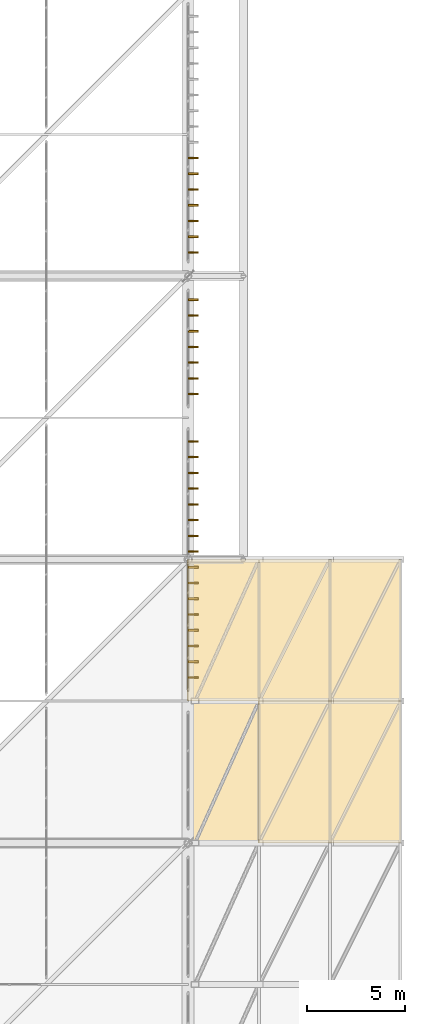
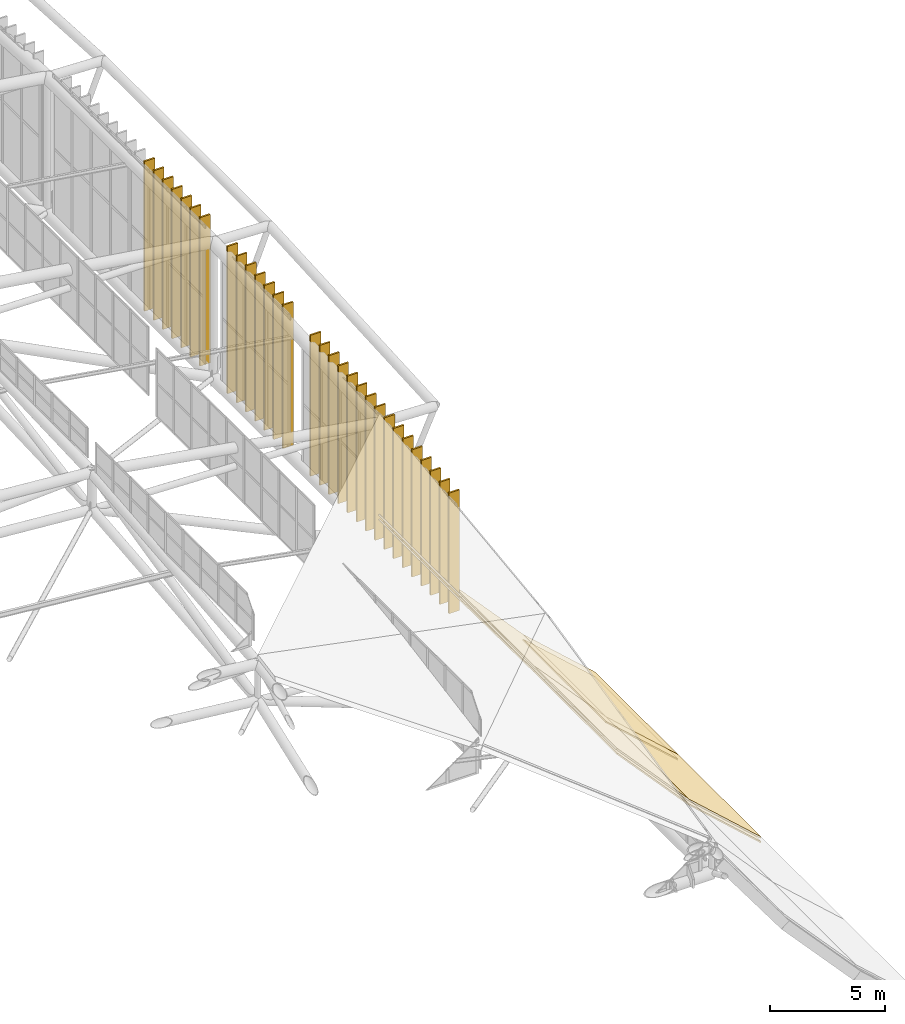
# One storey, part 390 of 397: 41 coverings.
"""IFC4 building model written with IfcOpenShell, lengths in metres."""

from ifc_helpers import new_model, si_unit, direction, frame, origin, origin_2d, place, context, subcontext, project, spatial, polyline, rectangle, outline, extrude, material, layer, layer_set, type_object, element, save


model = new_model("IFC4")

# Units and contexts
model_context = context("Model", 3, precision=1e-05, world=origin(), true_north=direction((0.0, 1.0)))
body_context = subcontext(model_context, "Body", "Model", "MODEL_VIEW")
ifc_project = project(units=[si_unit("LENGTHUNIT", "METRE"), si_unit("AREAUNIT", "SQUARE_METRE"), si_unit("VOLUMEUNIT", "CUBIC_METRE"), si_unit("PLANEANGLEUNIT", "RADIAN"), si_unit("MASSUNIT", "GRAM", prefix="KILO")], contexts=[model_context])

# Site, building, storey
site_placement = place(None, origin())
site = spatial("IfcSite", under=ifc_project, at=site_placement, CompositionType="ELEMENT")
building_placement = place(site_placement, origin())
building = spatial("IfcBuilding", under=site, at=building_placement, Name="Qandorah Velis Arena", CompositionType="ELEMENT")
storey_placement = place(building_placement, frame((0.0, 0.0, 27.5)))
storey = spatial("IfcBuildingStorey", under=building, at=storey_placement, Name="RF", CompositionType="ELEMENT", Elevation=27.5)

# Coverings
ifc_material_1 = material(Name="Champagne-bronze anodized aluminium 6063-T6", Category="aluminium")
ifc_layer_1 = layer(ifc_material_1, 0.0849609375)
ifc_layer_set_1 = layer_set([ifc_layer_1], Name="Champagne-bronze anodized aluminium 6063-T6")
covering_type_1 = type_object("IfcCoveringType", Name="ARC-COV-FIN520", PredefinedType="CLADDING", material=ifc_layer_set_1)
covering_1_placement = place(storey_placement, frame((115.455078125, 37.199951171875, -0.01025390625), z_axis=(0.0, 0.0, 1.0), x_axis=(1.0, 0.0, 0.0)))
element("IfcCovering", 1, at=covering_1_placement, inside=storey, type_object=covering_type_1, Name="Arched crown champagne-bronze solar fin 2.3.1", PredefinedType="CLADDING", context=body_context, shape_type="SweptSolid", body=[
    extrude(rectangle(XDim=0.52001953125, YDim=0.0849609375, at=origin_2d()), origin(), (0.0, 0.0, 1.0), 6.382568359375),
])
covering_2_placement = place(storey_placement, frame((115.455078125, 38.0, -0.009765625), z_axis=(0.0, 0.0, 1.0), x_axis=(1.0, 0.0, 0.0)))
element("IfcCovering", 2, at=covering_2_placement, inside=storey, type_object=covering_type_1, Name="Arched crown champagne-bronze solar fin 2.3.2", PredefinedType="CLADDING", context=body_context, shape_type="SweptSolid", body=[
    extrude(rectangle(XDim=0.52001953125, YDim=0.0849609375, at=origin_2d()), origin(), (0.0, 0.0, 1.0), 6.476806640625),
])
covering_3_placement = place(storey_placement, frame((115.455078125, 38.800048828125, -0.01025390625), z_axis=(0.0, 0.0, 1.0), x_axis=(1.0, 0.0, 0.0)))
element("IfcCovering", 3, at=covering_3_placement, inside=storey, type_object=covering_type_1, Name="Arched crown champagne-bronze solar fin 2.3.3", PredefinedType="CLADDING", context=body_context, shape_type="SweptSolid", body=[
    extrude(rectangle(XDim=0.52001953125, YDim=0.0849609375, at=origin_2d()), origin(), (0.0, 0.0, 1.0), 6.567626953125),
])
covering_4_placement = place(storey_placement, frame((115.455078125, 39.60009765625, -0.010009765625), z_axis=(0.0, 0.0, 1.0), x_axis=(1.0, 0.0, 0.0)))
element("IfcCovering", 4, at=covering_4_placement, inside=storey, type_object=covering_type_1, Name="Arched crown champagne-bronze solar fin 2.3.4", PredefinedType="CLADDING", context=body_context, shape_type="SweptSolid", body=[
    extrude(rectangle(XDim=0.52001953125, YDim=0.0849609375, at=origin_2d()), origin(), (0.0, 0.0, 1.0), 6.6552734375),
])
covering_5_placement = place(storey_placement, frame((115.455078125, 40.39990234375, -0.010009765625), z_axis=(0.0, 0.0, 1.0), x_axis=(1.0, 0.0, 0.0)))
element("IfcCovering", 5, at=covering_5_placement, inside=storey, type_object=covering_type_1, Name="Arched crown champagne-bronze solar fin 2.3.5", PredefinedType="CLADDING", context=body_context, shape_type="SweptSolid", body=[
    extrude(rectangle(XDim=0.52001953125, YDim=0.0849609375, at=origin_2d()), origin(), (0.0, 0.0, 1.0), 6.7392578125),
])
covering_6_placement = place(storey_placement, frame((115.455078125, 41.199951171875, -0.010009765625), z_axis=(0.0, 0.0, 1.0), x_axis=(1.0, 0.0, 0.0)))
element("IfcCovering", 6, at=covering_6_placement, inside=storey, type_object=covering_type_1, Name="Arched crown champagne-bronze solar fin 2.3.6", PredefinedType="CLADDING", context=body_context, shape_type="SweptSolid", body=[
    extrude(rectangle(XDim=0.52001953125, YDim=0.0849609375, at=origin_2d()), origin(), (0.0, 0.0, 1.0), 6.8203125),
])
covering_7_placement = place(storey_placement, frame((115.455078125, 42.0, -0.009765625), z_axis=(0.0, 0.0, 1.0), x_axis=(1.0, 0.0, 0.0)))
element("IfcCovering", 7, at=covering_7_placement, inside=storey, type_object=covering_type_1, Name="Arched crown champagne-bronze solar fin 2.3.7", PredefinedType="CLADDING", context=body_context, shape_type="SweptSolid", body=[
    extrude(rectangle(XDim=0.52001953125, YDim=0.0849609375, at=origin_2d()), origin(), (0.0, 0.0, 1.0), 6.897705078125),
])
covering_8_placement = place(storey_placement, frame((115.455078125, 42.800048828125, -0.01025390625), z_axis=(0.0, 0.0, 1.0), x_axis=(1.0, 0.0, 0.0)))
element("IfcCovering", 8, at=covering_8_placement, inside=storey, type_object=covering_type_1, Name="Arched crown champagne-bronze solar fin 2.3.8", PredefinedType="CLADDING", context=body_context, shape_type="SweptSolid", body=[
    extrude(rectangle(XDim=0.52001953125, YDim=0.0849609375, at=origin_2d()), origin(), (0.0, 0.0, 1.0), 6.972412109375),
])
covering_9_placement = place(storey_placement, frame((115.455078125, 43.60009765625, -0.01025390625), z_axis=(0.0, 0.0, 1.0), x_axis=(1.0, 0.0, 0.0)))
element("IfcCovering", 9, at=covering_9_placement, inside=storey, type_object=covering_type_1, Name="Arched crown champagne-bronze solar fin 2.3.9", PredefinedType="CLADDING", context=body_context, shape_type="SweptSolid", body=[
    extrude(rectangle(XDim=0.52001953125, YDim=0.0849609375, at=origin_2d()), origin(), (0.0, 0.0, 1.0), 7.043701171875),
])
covering_10_placement = place(storey_placement, frame((115.455078125, 44.39990234375, -0.010009765625), z_axis=(0.0, 0.0, 1.0), x_axis=(1.0, 0.0, 0.0)))
element("IfcCovering", 10, at=covering_10_placement, inside=storey, type_object=covering_type_1, Name="Arched crown champagne-bronze solar fin 2.3.10", PredefinedType="CLADDING", context=body_context, shape_type="SweptSolid", body=[
    extrude(rectangle(XDim=0.52001953125, YDim=0.0849609375, at=origin_2d()), origin(), (0.0, 0.0, 1.0), 7.11181640625),
])
covering_11_placement = place(storey_placement, frame((115.455078125, 45.199951171875, -0.009765625), z_axis=(0.0, 0.0, 1.0), x_axis=(1.0, 0.0, 0.0)))
element("IfcCovering", 11, at=covering_11_placement, inside=storey, type_object=covering_type_1, Name="Arched crown champagne-bronze solar fin 2.3.11", PredefinedType="CLADDING", context=body_context, shape_type="SweptSolid", body=[
    extrude(rectangle(XDim=0.52001953125, YDim=0.0849609375, at=origin_2d()), origin(), (0.0, 0.0, 1.0), 7.177001953125),
])
covering_12_placement = place(storey_placement, frame((115.455078125, 46.0, -0.01025390625), z_axis=(0.0, 0.0, 1.0), x_axis=(1.0, 0.0, 0.0)))
element("IfcCovering", 12, at=covering_12_placement, inside=storey, type_object=covering_type_1, Name="Arched crown champagne-bronze solar fin 2.3.12", PredefinedType="CLADDING", context=body_context, shape_type="SweptSolid", body=[
    extrude(rectangle(XDim=0.52001953125, YDim=0.0849609375, at=origin_2d()), origin(), (0.0, 0.0, 1.0), 7.239501953125),
])
covering_13_placement = place(storey_placement, frame((115.455078125, 46.800048828125, -0.009765625), z_axis=(0.0, 0.0, 1.0), x_axis=(1.0, 0.0, 0.0)))
element("IfcCovering", 13, at=covering_13_placement, inside=storey, type_object=covering_type_1, Name="Arched crown champagne-bronze solar fin 2.3.13", PredefinedType="CLADDING", context=body_context, shape_type="SweptSolid", body=[
    extrude(rectangle(XDim=0.52001953125, YDim=0.0849609375, at=origin_2d()), origin(), (0.0, 0.0, 1.0), 7.298583984375),
])
covering_14_placement = place(storey_placement, frame((115.455078125, 47.60009765625, -0.010009765625), z_axis=(0.0, 0.0, 1.0), x_axis=(1.0, 0.0, 0.0)))
element("IfcCovering", 14, at=covering_14_placement, inside=storey, type_object=covering_type_1, Name="Arched crown champagne-bronze solar fin 2.3.14", PredefinedType="CLADDING", context=body_context, shape_type="SweptSolid", body=[
    extrude(rectangle(XDim=0.52001953125, YDim=0.0849609375, at=origin_2d()), origin(), (0.0, 0.0, 1.0), 7.35498046875),
])
covering_15_placement = place(storey_placement, frame((115.455078125, 48.39990234375, -0.010009765625), z_axis=(0.0, 0.0, 1.0), x_axis=(1.0, 0.0, 0.0)))
element("IfcCovering", 15, at=covering_15_placement, inside=storey, type_object=covering_type_1, Name="Arched crown champagne-bronze solar fin 2.3.15", PredefinedType="CLADDING", context=body_context, shape_type="SweptSolid", body=[
    extrude(rectangle(XDim=0.52001953125, YDim=0.0849609375, at=origin_2d()), origin(), (0.0, 0.0, 1.0), 7.40869140625),
])
covering_16_placement = place(storey_placement, frame((115.455078125, 49.199951171875, -0.010009765625), z_axis=(0.0, 0.0, 1.0), x_axis=(1.0, 0.0, 0.0)))
element("IfcCovering", 16, at=covering_16_placement, inside=storey, type_object=covering_type_1, Name="Arched crown champagne-bronze solar fin 2.3.16", PredefinedType="CLADDING", context=body_context, shape_type="SweptSolid", body=[
    extrude(rectangle(XDim=0.52001953125, YDim=0.0849609375, at=origin_2d()), origin(), (0.0, 0.0, 1.0), 7.45947265625),
])
covering_17_placement = place(storey_placement, frame((115.455078125, 51.60009765625, -0.009765625), z_axis=(0.0, 0.0, 1.0), x_axis=(1.0, 0.0, 0.0)))
element("IfcCovering", 17, at=covering_17_placement, inside=storey, type_object=covering_type_1, Name="Arched crown champagne-bronze solar fin 2.4.1", PredefinedType="CLADDING", context=body_context, shape_type="SweptSolid", body=[
    extrude(rectangle(XDim=0.52001953125, YDim=0.0849609375, at=origin_2d()), origin(), (0.0, 0.0, 1.0), 7.594970703125),
])
covering_18_placement = place(storey_placement, frame((115.455078125, 52.39990234375, -0.01025390625), z_axis=(0.0, 0.0, 1.0), x_axis=(1.0, 0.0, 0.0)))
element("IfcCovering", 18, at=covering_18_placement, inside=storey, type_object=covering_type_1, Name="Arched crown champagne-bronze solar fin 2.4.2", PredefinedType="CLADDING", context=body_context, shape_type="SweptSolid", body=[
    extrude(rectangle(XDim=0.52001953125, YDim=0.0849609375, at=origin_2d()), origin(), (0.0, 0.0, 1.0), 7.635009765625),
])
covering_19_placement = place(storey_placement, frame((115.455078125, 53.199951171875, -0.01025390625), z_axis=(0.0, 0.0, 1.0), x_axis=(1.0, 0.0, 0.0)))
element("IfcCovering", 19, at=covering_19_placement, inside=storey, type_object=covering_type_1, Name="Arched crown champagne-bronze solar fin 2.4.3", PredefinedType="CLADDING", context=body_context, shape_type="SweptSolid", body=[
    extrude(rectangle(XDim=0.52001953125, YDim=0.0849609375, at=origin_2d()), origin(), (0.0, 0.0, 1.0), 7.672119140625),
])
covering_20_placement = place(storey_placement, frame((115.455078125, 54.0, -0.01025390625), z_axis=(0.0, 0.0, 1.0), x_axis=(1.0, 0.0, 0.0)))
element("IfcCovering", 20, at=covering_20_placement, inside=storey, type_object=covering_type_1, Name="Arched crown champagne-bronze solar fin 2.4.4", PredefinedType="CLADDING", context=body_context, shape_type="SweptSolid", body=[
    extrude(rectangle(XDim=0.52001953125, YDim=0.0849609375, at=origin_2d()), origin(), (0.0, 0.0, 1.0), 7.706787109375),
])
covering_21_placement = place(storey_placement, frame((115.455078125, 54.800048828125, -0.010009765625), z_axis=(0.0, 0.0, 1.0), x_axis=(1.0, 0.0, 0.0)))
element("IfcCovering", 21, at=covering_21_placement, inside=storey, type_object=covering_type_1, Name="Arched crown champagne-bronze solar fin 2.4.5", PredefinedType="CLADDING", context=body_context, shape_type="SweptSolid", body=[
    extrude(rectangle(XDim=0.52001953125, YDim=0.0849609375, at=origin_2d()), origin(), (0.0, 0.0, 1.0), 7.73876953125),
])
covering_22_placement = place(storey_placement, frame((115.455078125, 55.60009765625, -0.010009765625), z_axis=(0.0, 0.0, 1.0), x_axis=(1.0, 0.0, 0.0)))
element("IfcCovering", 22, at=covering_22_placement, inside=storey, type_object=covering_type_1, Name="Arched crown champagne-bronze solar fin 2.4.6", PredefinedType="CLADDING", context=body_context, shape_type="SweptSolid", body=[
    extrude(rectangle(XDim=0.52001953125, YDim=0.0849609375, at=origin_2d()), origin(), (0.0, 0.0, 1.0), 7.76806640625),
])
covering_23_placement = place(storey_placement, frame((115.455078125, 56.39990234375, -0.010009765625), z_axis=(0.0, 0.0, 1.0), x_axis=(1.0, 0.0, 0.0)))
element("IfcCovering", 23, at=covering_23_placement, inside=storey, type_object=covering_type_1, Name="Arched crown champagne-bronze solar fin 2.4.7", PredefinedType="CLADDING", context=body_context, shape_type="SweptSolid", body=[
    extrude(rectangle(XDim=0.52001953125, YDim=0.0849609375, at=origin_2d()), origin(), (0.0, 0.0, 1.0), 7.794921875),
])
covering_24_placement = place(storey_placement, frame((115.455078125, 58.800048828125, -0.009765625), z_axis=(0.0, 0.0, 1.0), x_axis=(1.0, 0.0, 0.0)))
element("IfcCovering", 24, at=covering_24_placement, inside=storey, type_object=covering_type_1, Name="Arched crown champagne-bronze solar fin 2.5.1", PredefinedType="CLADDING", context=body_context, shape_type="SweptSolid", body=[
    extrude(rectangle(XDim=0.52001953125, YDim=0.0849609375, at=origin_2d()), origin(), (0.0, 0.0, 1.0), 7.860595703125),
])
covering_25_placement = place(storey_placement, frame((115.455078125, 59.60009765625, -0.01025390625), z_axis=(0.0, 0.0, 1.0), x_axis=(1.0, 0.0, 0.0)))
element("IfcCovering", 25, at=covering_25_placement, inside=storey, type_object=covering_type_1, Name="Arched crown champagne-bronze solar fin 2.5.2", PredefinedType="CLADDING", context=body_context, shape_type="SweptSolid", body=[
    extrude(rectangle(XDim=0.52001953125, YDim=0.0849609375, at=origin_2d()), origin(), (0.0, 0.0, 1.0), 7.877685546875),
])
covering_26_placement = place(storey_placement, frame((115.455078125, 60.39990234375, -0.010009765625), z_axis=(0.0, 0.0, 1.0), x_axis=(1.0, 0.0, 0.0)))
element("IfcCovering", 26, at=covering_26_placement, inside=storey, type_object=covering_type_1, Name="Arched crown champagne-bronze solar fin 2.5.3", PredefinedType="CLADDING", context=body_context, shape_type="SweptSolid", body=[
    extrude(rectangle(XDim=0.52001953125, YDim=0.0849609375, at=origin_2d()), origin(), (0.0, 0.0, 1.0), 7.89208984375),
])
covering_27_placement = place(storey_placement, frame((115.455078125, 61.199951171875, -0.010009765625), z_axis=(0.0, 0.0, 1.0), x_axis=(1.0, 0.0, 0.0)))
element("IfcCovering", 27, at=covering_27_placement, inside=storey, type_object=covering_type_1, Name="Arched crown champagne-bronze solar fin 2.5.4", PredefinedType="CLADDING", context=body_context, shape_type="SweptSolid", body=[
    extrude(rectangle(XDim=0.52001953125, YDim=0.0849609375, at=origin_2d()), origin(), (0.0, 0.0, 1.0), 7.904296875),
])
covering_28_placement = place(storey_placement, frame((115.455078125, 62.0, -0.009765625), z_axis=(0.0, 0.0, 1.0), x_axis=(1.0, 0.0, 0.0)))
element("IfcCovering", 28, at=covering_28_placement, inside=storey, type_object=covering_type_1, Name="Arched crown champagne-bronze solar fin 2.5.5", PredefinedType="CLADDING", context=body_context, shape_type="SweptSolid", body=[
    extrude(rectangle(XDim=0.52001953125, YDim=0.0849609375, at=origin_2d()), origin(), (0.0, 0.0, 1.0), 7.913818359375),
])
covering_29_placement = place(storey_placement, frame((115.455078125, 62.800048828125, -0.01025390625), z_axis=(0.0, 0.0, 1.0), x_axis=(1.0, 0.0, 0.0)))
element("IfcCovering", 29, at=covering_29_placement, inside=storey, type_object=covering_type_1, Name="Arched crown champagne-bronze solar fin 2.5.6", PredefinedType="CLADDING", context=body_context, shape_type="SweptSolid", body=[
    extrude(rectangle(XDim=0.52001953125, YDim=0.0849609375, at=origin_2d()), origin(), (0.0, 0.0, 1.0), 7.921142578125),
])
covering_30_placement = place(storey_placement, frame((115.455078125, 63.60009765625, -0.010009765625), z_axis=(0.0, 0.0, 1.0), x_axis=(1.0, 0.0, 0.0)))
element("IfcCovering", 30, at=covering_30_placement, inside=storey, type_object=covering_type_1, Name="Arched crown champagne-bronze solar fin 2.5.7", PredefinedType="CLADDING", context=body_context, shape_type="SweptSolid", body=[
    extrude(rectangle(XDim=0.52001953125, YDim=0.0849609375, at=origin_2d()), origin(), (0.0, 0.0, 1.0), 7.92578125),
])
ifc_material_2 = material(Name="Glulam GL28h", Category="wood")
ifc_layer_2 = layer(ifc_material_2, 0.06494140625)
ifc_layer_set_2 = layer_set([ifc_layer_2], Name="Glulam GL28h")
covering_type_2 = type_object("IfcCoveringType", Name="ARC-COV-GLULAM", PredefinedType="CEILING", material=ifc_layer_set_2)
covering_31_placement = place(storey_placement, frame((118.800048828125, 28.800048828125, -3.576416015625), z_axis=(0.739268079854, 0.0, 0.673411245904), x_axis=(0.673411245904, 0.0, -0.739268079854)))
element("IfcCovering", 31, at=covering_31_placement, inside=storey, type_object=covering_type_2, Name="Sweeping canopy Glulam GL28h acoustic soffit 3.02", PredefinedType="CEILING", context=body_context, shape_type="SweptSolid", body=[
    extrude(outline(polyline([(0.0, 0.0), (5.345698542343812, 0.0), (5.345698542343812, 7.199951171875002), (0.0, 7.199951171875002), (0.0, 0.0)])), origin(), (0.0, 0.0, -1.0), 0.06494140625),
])
covering_32_placement = place(storey_placement, frame((122.39990234375, 28.800048828125, -7.5283203125), z_axis=(0.670453392068, 0.0, 0.741951648738), x_axis=(0.741951648738, 0.0, -0.670453392068)))
element("IfcCovering", 32, at=covering_32_placement, inside=storey, type_object=covering_type_2, Name="Sweeping canopy Glulam GL28h acoustic soffit 3.03", PredefinedType="CEILING", context=body_context, shape_type="SweptSolid", body=[
    extrude(outline(polyline([(0.0, 0.0), (4.852199819724474, 0.0), (4.852199819724474, 7.199951171875), (0.0, 7.199951171875), (0.0, 0.0)])), origin(), (0.0, 0.0, -1.0), 0.06494140625),
])
covering_33_placement = place(storey_placement, frame((115.199951171875, 36.0, 1.364990234375), z_axis=(0.808241926345, 0.0, 0.588850565508), x_axis=(0.588850565508, 0.0, -0.808241926345)))
element("IfcCovering", 33, at=covering_33_placement, inside=storey, type_object=covering_type_2, Name="Sweeping canopy Glulam GL28h acoustic soffit 4.01", PredefinedType="CEILING", context=body_context, shape_type="SweptSolid", body=[
    extrude(outline(polyline([(0.0, 0.0), (6.113771247117102, 0.0), (6.113771247117102, 7.199951171875), (0.0, 7.199951171875), (0.0, 0.0)])), origin(), (0.0, 0.0, -1.0), 0.06494140625),
])
covering_34_placement = place(storey_placement, frame((118.800048828125, 36.0, -3.576416015625), z_axis=(0.739268079854, 0.0, 0.673411245904), x_axis=(0.673411245904, 0.0, -0.739268079854)))
element("IfcCovering", 34, at=covering_34_placement, inside=storey, type_object=covering_type_2, Name="Sweeping canopy Glulam GL28h acoustic soffit 4.02", PredefinedType="CEILING", context=body_context, shape_type="SweptSolid", body=[
    extrude(outline(polyline([(0.0, 0.0), (5.345698542343812, 0.0), (5.345698542343812, 7.199951171875002), (0.0, 7.199951171875002), (0.0, 0.0)])), origin(), (0.0, 0.0, -1.0), 0.06494140625),
])
covering_35_placement = place(storey_placement, frame((122.39990234375, 36.0, -7.5283203125), z_axis=(0.670453392068, 0.0, 0.741951648738), x_axis=(0.741951648738, 0.0, -0.670453392068)))
element("IfcCovering", 35, at=covering_35_placement, inside=storey, type_object=covering_type_2, Name="Sweeping canopy Glulam GL28h acoustic soffit 4.03", PredefinedType="CEILING", context=body_context, shape_type="SweptSolid", body=[
    extrude(outline(polyline([(0.0, 0.0), (4.852199819724474, 0.0), (4.852199819724474, 7.199951171875), (0.0, 7.199951171875), (0.0, 0.0)])), origin(), (0.0, 0.0, -1.0), 0.06494140625),
])
ifc_material_3 = material(Name="Insulated high-albedo standing-seam aluminium roofing", Category="aluminium")
ifc_layer_3 = layer(ifc_material_3, 0.080078125)
ifc_layer_set_3 = layer_set([ifc_layer_3], Name="Insulated high-albedo standing-seam aluminium roofing")
covering_type_3 = type_object("IfcCoveringType", Name="ARC-COV-ROOF", PredefinedType="ROOFING", material=ifc_layer_set_3)
covering_36_placement = place(storey_placement, frame((115.199951171875, 28.800048828125, 1.610107421875), z_axis=(0.808241926345, 0.0, 0.588850565508), x_axis=(0.588850565508, 0.0, -0.808241926345)))
element("IfcCovering", 36, at=covering_36_placement, inside=storey, type_object=covering_type_3, Name="Sweeping canopy standing-seam roof 3.01", PredefinedType="ROOFING", context=body_context, shape_type="SweptSolid", body=[
    extrude(outline(polyline([(0.0, 0.0), (6.113771247117102, 0.0), (6.113771247117102, 7.199951171875), (0.0, 7.199951171875), (0.0, 0.0)])), origin(), (0.0, 0.0, -1.0), 0.074951171875),
])
covering_37_placement = place(storey_placement, frame((118.800048828125, 28.800048828125, -3.331298828125), z_axis=(0.739288789578, 0.0, 0.673388510151), x_axis=(0.673388510151, 0.0, -0.739288789578)))
element("IfcCovering", 37, at=covering_37_placement, inside=storey, type_object=covering_type_3, Name="Sweeping canopy standing-seam roof 3.02", PredefinedType="ROOFING", context=body_context, shape_type="SweptSolid", body=[
    extrude(outline(polyline([(0.0, 0.0), (5.345879030242957, 0.0), (5.345879030242957, 7.199951171875002), (0.0, 7.199951171875002), (0.0, 0.0)])), origin(), (0.0, 0.0, -1.0), 0.074951171875),
])
covering_38_placement = place(storey_placement, frame((122.39990234375, 28.800048828125, -7.283447265625), z_axis=(0.6704256924, 0.0, 0.741976678185), x_axis=(0.741976678185, 0.0, -0.6704256924)))
element("IfcCovering", 38, at=covering_38_placement, inside=storey, type_object=covering_type_3, Name="Sweeping canopy standing-seam roof 3.03", PredefinedType="ROOFING", context=body_context, shape_type="SweptSolid", body=[
    extrude(outline(polyline([(0.0, 0.0), (4.852036138195551, 0.0), (4.852036138195551, 7.199951171875), (0.0, 7.199951171875), (0.0, 0.0)])), origin(), (0.0, 0.0, -1.0), 0.074951171875),
])
covering_39_placement = place(storey_placement, frame((115.199951171875, 36.0, 1.610107421875), z_axis=(0.808241926345, 0.0, 0.588850565508), x_axis=(0.588850565508, 0.0, -0.808241926345)))
element("IfcCovering", 39, at=covering_39_placement, inside=storey, type_object=covering_type_3, Name="Sweeping canopy standing-seam roof 4.01", PredefinedType="ROOFING", context=body_context, shape_type="SweptSolid", body=[
    extrude(outline(polyline([(0.0, 0.0), (6.113771247117102, 0.0), (6.113771247117102, 7.199951171875), (0.0, 7.199951171875), (0.0, 0.0)])), origin(), (0.0, 0.0, -1.0), 0.074951171875),
])
covering_40_placement = place(storey_placement, frame((118.800048828125, 36.0, -3.331298828125), z_axis=(0.739288789578, 0.0, 0.673388510151), x_axis=(0.673388510151, 0.0, -0.739288789578)))
element("IfcCovering", 40, at=covering_40_placement, inside=storey, type_object=covering_type_3, Name="Sweeping canopy standing-seam roof 4.02", PredefinedType="ROOFING", context=body_context, shape_type="SweptSolid", body=[
    extrude(outline(polyline([(0.0, 0.0), (5.345879030242957, 0.0), (5.345879030242957, 7.199951171875002), (0.0, 7.199951171875002), (0.0, 0.0)])), origin(), (0.0, 0.0, -1.0), 0.074951171875),
])
covering_41_placement = place(storey_placement, frame((122.39990234375, 36.0, -7.283447265625), z_axis=(0.6704256924, 0.0, 0.741976678185), x_axis=(0.741976678185, 0.0, -0.6704256924)))
element("IfcCovering", 41, at=covering_41_placement, inside=storey, type_object=covering_type_3, Name="Sweeping canopy standing-seam roof 4.03", PredefinedType="ROOFING", context=body_context, shape_type="SweptSolid", body=[
    extrude(outline(polyline([(0.0, 0.0), (4.852036138195551, 0.0), (4.852036138195551, 7.199951171875), (0.0, 7.199951171875), (0.0, 0.0)])), origin(), (0.0, 0.0, -1.0), 0.074951171875),
])

save(model, "model.ifc")
